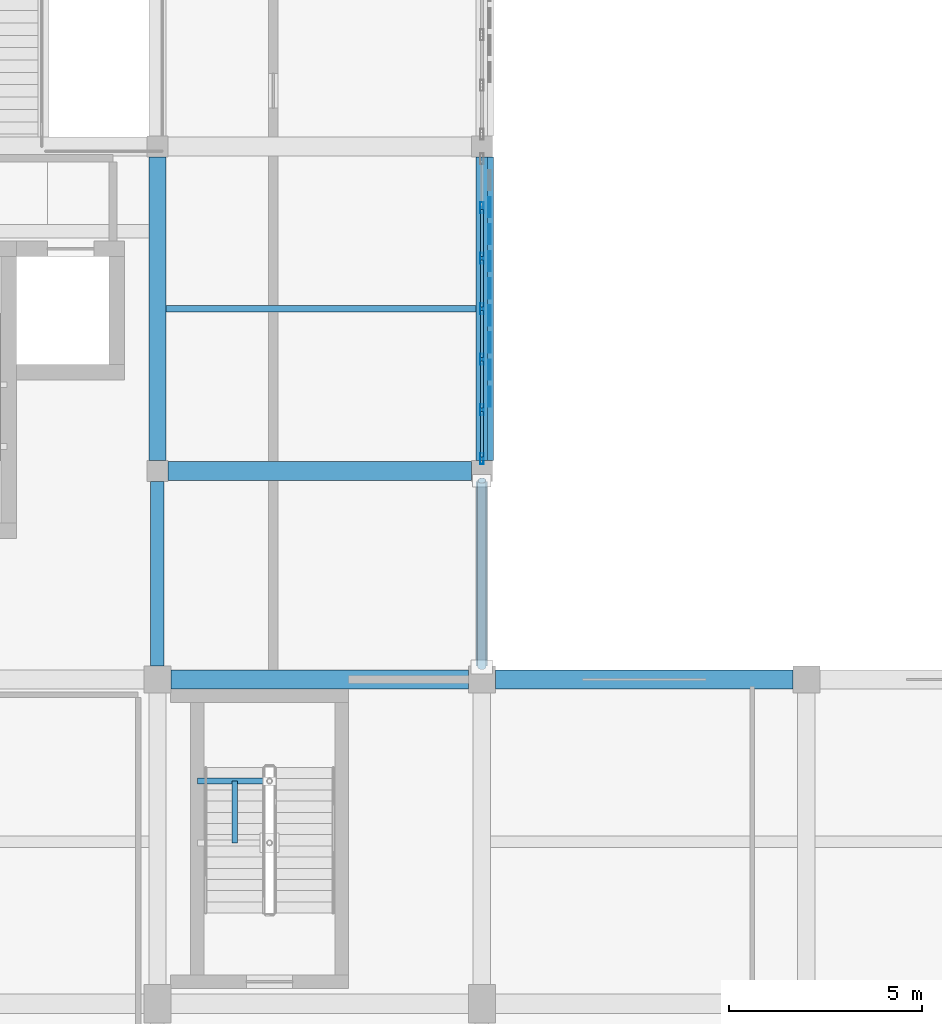
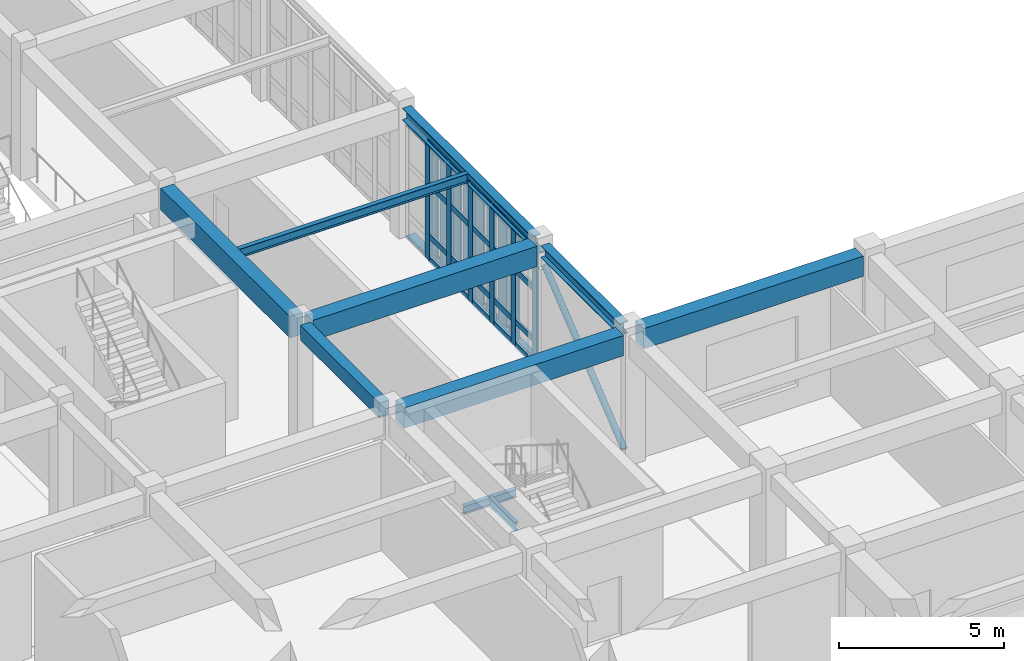
# One storey, part 20 of 106: 37 members, 10 beams, 1 element without a shape of its own.
"""IFC4 building model written with IfcOpenShell, lengths in metres."""

from ifc_helpers import new_model, si_unit, direction, frame, origin, origin_2d, place, context, subcontext, project, spatial, rectangle, hollow_rectangle, hollow_circle, i_section, extrude, material, layer, layer_set, material_profile, profile_set, type_object, element, aggregate, save


model = new_model("IFC4")

# Units and contexts
model_context = context("Model", 3, precision=1e-05, world=origin(), true_north=direction((0.0, 1.0)))
body_context = subcontext(model_context, "Body", "Model", "MODEL_VIEW")
ifc_project = project(units=[si_unit("LENGTHUNIT", "METRE"), si_unit("AREAUNIT", "SQUARE_METRE"), si_unit("VOLUMEUNIT", "CUBIC_METRE"), si_unit("PLANEANGLEUNIT", "RADIAN"), si_unit("MASSUNIT", "GRAM", prefix="KILO")], contexts=[model_context])

# Site, building, storey
site_placement = place(None, origin())
site = spatial("IfcSite", under=ifc_project, at=site_placement, CompositionType="ELEMENT")
building_placement = place(site_placement, origin())
building = spatial("IfcBuilding", under=site, at=building_placement, Name="Krzemoval Escarpment Law Courts", CompositionType="ELEMENT")
storey_placement = place(building_placement, frame((0.0, 0.0, 5.10009765625)))
storey = spatial("IfcBuildingStorey", under=building, at=storey_placement, Name="L01", CompositionType="ELEMENT", Elevation=5.10009765625)

# Beams
ifc_material_1 = material(Name="Concrete C40/50", Category="concrete")
ifc_material_profile_1 = material_profile(ifc_material_1, rectangle(XDim=0.35009765625, YDim=0.550048828125, at=origin_2d()), Name="RCB 350x550")
ifc_profile_set_1 = profile_set([ifc_material_profile_1], Name="Concrete C40/50")
beam_type_1 = type_object("IfcBeamType", Name="BM-RC-350x550", PredefinedType="BEAM", material=ifc_profile_set_1)
beam_1_placement = place(storey_placement, frame((33.60009765625, 35.75, 4.544921875), z_axis=(0.0, 1.0, 0.0), x_axis=(-1.0, 0.0, 0.0)))
element("IfcBeam", 1, at=beam_1_placement, inside=storey, type_object=beam_type_1, Name="Beam FG-L01-1424", PredefinedType="BEAM", context=body_context, shape_type="SweptSolid", body=[
    extrude(rectangle(XDim=0.35009765625, YDim=0.550048828125, at=origin_2d()), origin(), (0.0, 0.0, 1.0), 4.77490234375),
])
ifc_material_2 = material(Name="Concrete C40/50", Category="concrete")
ifc_material_profile_2 = material_profile(ifc_material_2, rectangle(XDim=0.449951171875, YDim=0.800048828125, at=origin_2d()), Name="RCB 450x800")
ifc_profile_set_2 = profile_set([ifc_material_profile_2], Name="Concrete C40/50")
beam_type_2 = type_object("IfcBeamType", Name="BM-RC-450x800", PredefinedType="BEAM", material=ifc_profile_set_2)
beam_2_placement = place(storey_placement, frame((33.60009765625, 41.074951171875, 4.419921875), z_axis=(0.0, 1.0, 0.0), x_axis=(-1.0, 0.0, 0.0)))
element("IfcBeam", 2, at=beam_2_placement, inside=storey, type_object=beam_type_2, Name="Beam FG-L01-1425", PredefinedType="BEAM", context=body_context, shape_type="SweptSolid", body=[
    extrude(rectangle(XDim=0.449951171875, YDim=0.800048828125, at=origin_2d()), origin(), (0.0, 0.0, 1.0), 7.85009765625),
])
ifc_material_3 = material(Name="Concrete C40/50", Category="concrete")
ifc_material_profile_3 = material_profile(ifc_material_3, rectangle(XDim=0.5, YDim=0.75, at=origin_2d()), Name="RCB 500x750")
ifc_profile_set_3 = profile_set([ifc_material_profile_3], Name="Concrete C40/50")
beam_type_3 = type_object("IfcBeamType", Name="BM-RC-500x750", PredefinedType="BEAM", material=ifc_profile_set_3)
for number, where, z_axis, x_axis, name in (
    (3, (33.949951171875, 35.39990234375, 4.44482421875), (1.0, 0.0, 0.0), (0.0, 1.0, 0.0), "Beam FG-L01-1219"),
    (4, (42.35009765625, 35.39990234375, 4.44482421875), (1.0, 0.0, 0.0), (0.0, 1.0, 0.0), "Beam FG-L01-1220"),
):
    element("IfcBeam", number, at=place(storey_placement, frame(where, z_axis=z_axis, x_axis=x_axis)), inside=storey, type_object=beam_type_3, Name=name, PredefinedType="BEAM", context=body_context, shape_type="SweptSolid", body=[
        extrude(rectangle(XDim=0.5, YDim=0.75, at=origin_2d()), origin(), (0.0, 0.0, 1.0), 7.699951171875),
    ])
beam_3_placement = place(storey_placement, frame((33.875, 40.800048828125, 4.44482421875), z_axis=(1.0, 0.0, 0.0), x_axis=(0.0, 1.0, 0.0)))
element("IfcBeam", 5, at=beam_3_placement, inside=storey, type_object=beam_type_3, Name="Beam FG-L01-1235", PredefinedType="BEAM", context=body_context, shape_type="SweptSolid", body=[
    extrude(rectangle(XDim=0.5, YDim=0.75, at=origin_2d()), origin(), (0.0, 0.0, 1.0), 7.85009765625),
])

# Curtain wall, members
ifc_material_4 = material(Name="Aluminium 6063-T6", Category="aluminium")
ifc_layer = layer(ifc_material_4, 0.280029296875)
ifc_layer_set = layer_set([ifc_layer], Name="Aluminium 6063-T6")
curtain_wall_type = type_object("IfcCurtainWallType", Name="CW-HALL-5100", PredefinedType="USERDEFINED", material=ifc_layer_set)
curtain_wall_placement = place(storey_placement, origin())
curtain_wall = element("IfcCurtainWall", 6, at=curtain_wall_placement, inside=storey, type_object=curtain_wall_type, Name="Unitised Curtain Wall FCW-L01-063", ObjectType="UNITISED_CURTAIN_WALL", PredefinedType="USERDEFINED")
ifc_material_5 = material(Name="Aluminium 6063-T6", Category="aluminium")
ifc_material_profile_4 = material_profile(ifc_material_5, hollow_rectangle(XDim=0.0849609375, YDim=0.280029296875, WallThickness=0.005615234375, at=origin_2d()), Name="ALU M85x280")
ifc_profile_set_4 = profile_set([ifc_material_profile_4], Name="Aluminium 6063-T6")
member_type_1 = type_object("IfcMemberType", Name="CWM-85x280", PredefinedType="MULLION", material=ifc_profile_set_4)
member_1_placement = place(storey_placement, frame((42.0, 47.61669921875, 0.0), z_axis=(0.0, 0.0, 1.0), x_axis=(1.0, 0.0, 0.0)))
member_1 = element("IfcMember", 7, at=member_1_placement, type_object=member_type_1, Name="FCW-L01-063 mullion 2", PredefinedType="MULLION", context=body_context, shape_type="SweptSolid", body=[
    extrude(hollow_rectangle(XDim=0.0849609375, YDim=0.280029296875, WallThickness=0.005615234375, at=origin_2d()), origin(), (0.0, 0.0, 1.0), 4.369873046875),
])
member_2_placement = place(storey_placement, frame((42.0, 46.308349609375, 0.0), z_axis=(0.0, 0.0, 1.0), x_axis=(1.0, 0.0, 0.0)))
member_2 = element("IfcMember", 8, at=member_2_placement, type_object=member_type_1, Name="FCW-L01-063 mullion 3", PredefinedType="MULLION", context=body_context, shape_type="SweptSolid", body=[
    extrude(hollow_rectangle(XDim=0.0849609375, YDim=0.280029296875, WallThickness=0.005615234375, at=origin_2d()), origin(), (0.0, 0.0, 1.0), 4.369873046875),
])
member_3_placement = place(storey_placement, frame((42.0, 45.0, 0.0), z_axis=(0.0, 0.0, 1.0), x_axis=(1.0, 0.0, 0.0)))
member_3 = element("IfcMember", 9, at=member_3_placement, type_object=member_type_1, Name="FCW-L01-063 mullion 4", PredefinedType="MULLION", context=body_context, shape_type="SweptSolid", body=[
    extrude(hollow_rectangle(XDim=0.0849609375, YDim=0.280029296875, WallThickness=0.005615234375, at=origin_2d()), origin(), (0.0, 0.0, 1.0), 4.369873046875),
])
member_4_placement = place(storey_placement, frame((42.0, 43.691650390625, 0.0), z_axis=(0.0, 0.0, 1.0), x_axis=(1.0, 0.0, 0.0)))
member_4 = element("IfcMember", 10, at=member_4_placement, type_object=member_type_1, Name="FCW-L01-063 mullion 5", PredefinedType="MULLION", context=body_context, shape_type="SweptSolid", body=[
    extrude(hollow_rectangle(XDim=0.0849609375, YDim=0.280029296875, WallThickness=0.005615234375, at=origin_2d()), origin(), (0.0, 0.0, 1.0), 4.369873046875),
])
member_5_placement = place(storey_placement, frame((42.0, 42.38330078125, 0.0), z_axis=(0.0, 0.0, 1.0), x_axis=(1.0, 0.0, 0.0)))
member_5 = element("IfcMember", 11, at=member_5_placement, type_object=member_type_1, Name="FCW-L01-063 mullion 6", PredefinedType="MULLION", context=body_context, shape_type="SweptSolid", body=[
    extrude(hollow_rectangle(XDim=0.0849609375, YDim=0.280029296875, WallThickness=0.005615234375, at=origin_2d()), origin(), (0.0, 0.0, 1.0), 4.369873046875),
])
member_6_placement = place(storey_placement, frame((42.0, 41.117431640625, 0.0), z_axis=(0.0, 0.0, 1.0), x_axis=(1.0, 0.0, 0.0)))
member_6 = element("IfcMember", 12, at=member_6_placement, type_object=member_type_1, Name="FCW-L01-063 mullion 7", PredefinedType="MULLION", context=body_context, shape_type="SweptSolid", body=[
    extrude(hollow_rectangle(XDim=0.0849609375, YDim=0.280029296875, WallThickness=0.005615234375, at=origin_2d()), origin(), (0.0, 0.0, 1.0), 4.369873046875),
])
ifc_material_6 = material(Name="Aluminium 6063-T6", Category="aluminium")
ifc_material_profile_5 = material_profile(ifc_material_6, hollow_rectangle(XDim=0.0849609375, YDim=0.2099609375, WallThickness=0.005615234375, at=origin_2d()), Name="ALU T85x210")
ifc_profile_set_5 = profile_set([ifc_material_profile_5], Name="Aluminium 6063-T6")
member_type_2 = type_object("IfcMemberType", Name="CWT-85x210", PredefinedType="USERDEFINED", material=ifc_profile_set_5)
member_7_placement = place(storey_placement, frame((42.0, 47.57421875, 0.04248046875), z_axis=(0.0, -1.0, 0.0), x_axis=(1.0, 0.0, 0.0)))
member_7 = element("IfcMember", 13, at=member_7_placement, type_object=member_type_2, Name="FCW-L01-063 transom 2.1", ObjectType="TRANSOM", PredefinedType="USERDEFINED", context=body_context, shape_type="SweptSolid", body=[
    extrude(hollow_rectangle(XDim=0.0849609375, YDim=0.2099609375, WallThickness=0.005615234375, at=origin_2d()), origin(), (0.0, 0.0, 1.0), 1.223388671875),
])
member_8_placement = place(storey_placement, frame((42.0, 47.57421875, 0.89990234375), z_axis=(0.0, -1.0, 0.0), x_axis=(1.0, 0.0, 0.0)))
member_8 = element("IfcMember", 14, at=member_8_placement, type_object=member_type_2, Name="FCW-L01-063 transom 2.2", ObjectType="TRANSOM", PredefinedType="USERDEFINED", context=body_context, shape_type="SweptSolid", body=[
    extrude(hollow_rectangle(XDim=0.0849609375, YDim=0.2099609375, WallThickness=0.005615234375, at=origin_2d()), origin(), (0.0, 0.0, 1.0), 1.223388671875),
])
member_9_placement = place(storey_placement, frame((42.0, 47.57421875, 2.7998046875), z_axis=(0.0, -1.0, 0.0), x_axis=(1.0, 0.0, 0.0)))
member_9 = element("IfcMember", 15, at=member_9_placement, type_object=member_type_2, Name="FCW-L01-063 transom 2.3", ObjectType="TRANSOM", PredefinedType="USERDEFINED", context=body_context, shape_type="SweptSolid", body=[
    extrude(hollow_rectangle(XDim=0.0849609375, YDim=0.2099609375, WallThickness=0.005615234375, at=origin_2d()), origin(), (0.0, 0.0, 1.0), 1.223388671875),
])
member_10_placement = place(storey_placement, frame((42.0, 47.57421875, 4.327392578125), z_axis=(0.0, -1.0, 0.0), x_axis=(1.0, 0.0, 0.0)))
member_10 = element("IfcMember", 16, at=member_10_placement, type_object=member_type_2, Name="FCW-L01-063 transom 2.4", ObjectType="TRANSOM", PredefinedType="USERDEFINED", context=body_context, shape_type="SweptSolid", body=[
    extrude(hollow_rectangle(XDim=0.0849609375, YDim=0.2099609375, WallThickness=0.005615234375, at=origin_2d()), origin(), (0.0, 0.0, 1.0), 1.223388671875),
])
member_11_placement = place(storey_placement, frame((42.0, 46.265869140625, 0.04248046875), z_axis=(0.0, -1.0, 0.0), x_axis=(1.0, 0.0, 0.0)))
member_11 = element("IfcMember", 17, at=member_11_placement, type_object=member_type_2, Name="FCW-L01-063 transom 3.1", ObjectType="TRANSOM", PredefinedType="USERDEFINED", context=body_context, shape_type="SweptSolid", body=[
    extrude(hollow_rectangle(XDim=0.0849609375, YDim=0.2099609375, WallThickness=0.005615234375, at=origin_2d()), origin(), (0.0, 0.0, 1.0), 1.223388671875),
])
member_12_placement = place(storey_placement, frame((42.0, 46.265869140625, 0.89990234375), z_axis=(0.0, -1.0, 0.0), x_axis=(1.0, 0.0, 0.0)))
member_12 = element("IfcMember", 18, at=member_12_placement, type_object=member_type_2, Name="FCW-L01-063 transom 3.2", ObjectType="TRANSOM", PredefinedType="USERDEFINED", context=body_context, shape_type="SweptSolid", body=[
    extrude(hollow_rectangle(XDim=0.0849609375, YDim=0.2099609375, WallThickness=0.005615234375, at=origin_2d()), origin(), (0.0, 0.0, 1.0), 1.223388671875),
])
member_13_placement = place(storey_placement, frame((42.0, 46.265869140625, 2.7998046875), z_axis=(0.0, -1.0, 0.0), x_axis=(1.0, 0.0, 0.0)))
member_13 = element("IfcMember", 19, at=member_13_placement, type_object=member_type_2, Name="FCW-L01-063 transom 3.3", ObjectType="TRANSOM", PredefinedType="USERDEFINED", context=body_context, shape_type="SweptSolid", body=[
    extrude(hollow_rectangle(XDim=0.0849609375, YDim=0.2099609375, WallThickness=0.005615234375, at=origin_2d()), origin(), (0.0, 0.0, 1.0), 1.223388671875),
])
member_14_placement = place(storey_placement, frame((42.0, 46.265869140625, 4.327392578125), z_axis=(0.0, -1.0, 0.0), x_axis=(1.0, 0.0, 0.0)))
member_14 = element("IfcMember", 20, at=member_14_placement, type_object=member_type_2, Name="FCW-L01-063 transom 3.4", ObjectType="TRANSOM", PredefinedType="USERDEFINED", context=body_context, shape_type="SweptSolid", body=[
    extrude(hollow_rectangle(XDim=0.0849609375, YDim=0.2099609375, WallThickness=0.005615234375, at=origin_2d()), origin(), (0.0, 0.0, 1.0), 1.223388671875),
])
member_15_placement = place(storey_placement, frame((42.0, 44.95751953125, 0.04248046875), z_axis=(0.0, -1.0, 0.0), x_axis=(1.0, 0.0, 0.0)))
member_15 = element("IfcMember", 21, at=member_15_placement, type_object=member_type_2, Name="FCW-L01-063 transom 4.1", ObjectType="TRANSOM", PredefinedType="USERDEFINED", context=body_context, shape_type="SweptSolid", body=[
    extrude(hollow_rectangle(XDim=0.0849609375, YDim=0.2099609375, WallThickness=0.005615234375, at=origin_2d()), origin(), (0.0, 0.0, 1.0), 1.223388671875),
])
member_16_placement = place(storey_placement, frame((42.0, 44.95751953125, 0.89990234375), z_axis=(0.0, -1.0, 0.0), x_axis=(1.0, 0.0, 0.0)))
member_16 = element("IfcMember", 22, at=member_16_placement, type_object=member_type_2, Name="FCW-L01-063 transom 4.2", ObjectType="TRANSOM", PredefinedType="USERDEFINED", context=body_context, shape_type="SweptSolid", body=[
    extrude(hollow_rectangle(XDim=0.0849609375, YDim=0.2099609375, WallThickness=0.005615234375, at=origin_2d()), origin(), (0.0, 0.0, 1.0), 1.223388671875),
])
member_17_placement = place(storey_placement, frame((42.0, 44.95751953125, 2.7998046875), z_axis=(0.0, -1.0, 0.0), x_axis=(1.0, 0.0, 0.0)))
member_17 = element("IfcMember", 23, at=member_17_placement, type_object=member_type_2, Name="FCW-L01-063 transom 4.3", ObjectType="TRANSOM", PredefinedType="USERDEFINED", context=body_context, shape_type="SweptSolid", body=[
    extrude(hollow_rectangle(XDim=0.0849609375, YDim=0.2099609375, WallThickness=0.005615234375, at=origin_2d()), origin(), (0.0, 0.0, 1.0), 1.223388671875),
])
member_18_placement = place(storey_placement, frame((42.0, 44.95751953125, 4.327392578125), z_axis=(0.0, -1.0, 0.0), x_axis=(1.0, 0.0, 0.0)))
member_18 = element("IfcMember", 24, at=member_18_placement, type_object=member_type_2, Name="FCW-L01-063 transom 4.4", ObjectType="TRANSOM", PredefinedType="USERDEFINED", context=body_context, shape_type="SweptSolid", body=[
    extrude(hollow_rectangle(XDim=0.0849609375, YDim=0.2099609375, WallThickness=0.005615234375, at=origin_2d()), origin(), (0.0, 0.0, 1.0), 1.223388671875),
])
member_19_placement = place(storey_placement, frame((42.0, 43.649169921875, 0.04248046875), z_axis=(0.0, -1.0, 0.0), x_axis=(1.0, 0.0, 0.0)))
member_19 = element("IfcMember", 25, at=member_19_placement, type_object=member_type_2, Name="FCW-L01-063 transom 5.1", ObjectType="TRANSOM", PredefinedType="USERDEFINED", context=body_context, shape_type="SweptSolid", body=[
    extrude(hollow_rectangle(XDim=0.0849609375, YDim=0.2099609375, WallThickness=0.005615234375, at=origin_2d()), origin(), (0.0, 0.0, 1.0), 1.223388671875),
])
member_20_placement = place(storey_placement, frame((42.0, 43.649169921875, 0.89990234375), z_axis=(0.0, -1.0, 0.0), x_axis=(1.0, 0.0, 0.0)))
member_20 = element("IfcMember", 26, at=member_20_placement, type_object=member_type_2, Name="FCW-L01-063 transom 5.2", ObjectType="TRANSOM", PredefinedType="USERDEFINED", context=body_context, shape_type="SweptSolid", body=[
    extrude(hollow_rectangle(XDim=0.0849609375, YDim=0.2099609375, WallThickness=0.005615234375, at=origin_2d()), origin(), (0.0, 0.0, 1.0), 1.223388671875),
])
member_21_placement = place(storey_placement, frame((42.0, 43.649169921875, 2.7998046875), z_axis=(0.0, -1.0, 0.0), x_axis=(1.0, 0.0, 0.0)))
member_21 = element("IfcMember", 27, at=member_21_placement, type_object=member_type_2, Name="FCW-L01-063 transom 5.3", ObjectType="TRANSOM", PredefinedType="USERDEFINED", context=body_context, shape_type="SweptSolid", body=[
    extrude(hollow_rectangle(XDim=0.0849609375, YDim=0.2099609375, WallThickness=0.005615234375, at=origin_2d()), origin(), (0.0, 0.0, 1.0), 1.223388671875),
])
member_22_placement = place(storey_placement, frame((42.0, 43.649169921875, 4.327392578125), z_axis=(0.0, -1.0, 0.0), x_axis=(1.0, 0.0, 0.0)))
member_22 = element("IfcMember", 28, at=member_22_placement, type_object=member_type_2, Name="FCW-L01-063 transom 5.4", ObjectType="TRANSOM", PredefinedType="USERDEFINED", context=body_context, shape_type="SweptSolid", body=[
    extrude(hollow_rectangle(XDim=0.0849609375, YDim=0.2099609375, WallThickness=0.005615234375, at=origin_2d()), origin(), (0.0, 0.0, 1.0), 1.223388671875),
])
member_23_placement = place(storey_placement, frame((42.0, 42.3408203125, 0.04248046875), z_axis=(0.0, -1.0, 0.0), x_axis=(1.0, 0.0, 0.0)))
member_23 = element("IfcMember", 29, at=member_23_placement, type_object=member_type_2, Name="FCW-L01-063 transom 6.1", ObjectType="TRANSOM", PredefinedType="USERDEFINED", context=body_context, shape_type="SweptSolid", body=[
    extrude(hollow_rectangle(XDim=0.0849609375, YDim=0.2099609375, WallThickness=0.005615234375, at=origin_2d()), origin(), (0.0, 0.0, 1.0), 1.180908203125),
])
member_24_placement = place(storey_placement, frame((42.0, 42.3408203125, 0.89990234375), z_axis=(0.0, -1.0, 0.0), x_axis=(1.0, 0.0, 0.0)))
member_24 = element("IfcMember", 30, at=member_24_placement, type_object=member_type_2, Name="FCW-L01-063 transom 6.2", ObjectType="TRANSOM", PredefinedType="USERDEFINED", context=body_context, shape_type="SweptSolid", body=[
    extrude(hollow_rectangle(XDim=0.0849609375, YDim=0.2099609375, WallThickness=0.005615234375, at=origin_2d()), origin(), (0.0, 0.0, 1.0), 1.180908203125),
])
member_25_placement = place(storey_placement, frame((42.0, 42.3408203125, 2.7998046875), z_axis=(0.0, -1.0, 0.0), x_axis=(1.0, 0.0, 0.0)))
member_25 = element("IfcMember", 31, at=member_25_placement, type_object=member_type_2, Name="FCW-L01-063 transom 6.3", ObjectType="TRANSOM", PredefinedType="USERDEFINED", context=body_context, shape_type="SweptSolid", body=[
    extrude(hollow_rectangle(XDim=0.0849609375, YDim=0.2099609375, WallThickness=0.005615234375, at=origin_2d()), origin(), (0.0, 0.0, 1.0), 1.180908203125),
])
member_26_placement = place(storey_placement, frame((42.0, 42.3408203125, 4.327392578125), z_axis=(0.0, -1.0, 0.0), x_axis=(1.0, 0.0, 0.0)))
member_26 = element("IfcMember", 32, at=member_26_placement, type_object=member_type_2, Name="FCW-L01-063 transom 6.4", ObjectType="TRANSOM", PredefinedType="USERDEFINED", context=body_context, shape_type="SweptSolid", body=[
    extrude(hollow_rectangle(XDim=0.0849609375, YDim=0.2099609375, WallThickness=0.005615234375, at=origin_2d()), origin(), (0.0, 0.0, 1.0), 1.180908203125),
])
aggregate(curtain_wall, [member_1, member_2, member_3, member_4, member_5, member_6, member_7, member_8, member_9, member_10, member_11, member_12, member_13, member_14, member_15, member_16, member_17, member_18, member_19, member_20, member_21, member_22, member_23, member_24, member_25, member_26])

# Beams
ifc_material_7 = material(Name="Steel S355", Category="steel")
ifc_material_profile_6 = material_profile(ifc_material_7, i_section(OverallWidth=0.14990234375, OverallDepth=0.300048828125, WebThickness=0.007080078125, FlangeThickness=0.0107421875, at=origin_2d()), Name="IPE 300")
ifc_profile_set_6 = profile_set([ifc_material_profile_6], Name="Steel S355")
beam_type_4 = type_object("IfcBeamType", Name="JST-S355-IPE300", PredefinedType="JOIST", material=ifc_profile_set_6)
beam_4_placement = place(storey_placement, frame((36.5, 32.77001953125, 2.27001953125), z_axis=(-1.0, 0.0, 0.0), x_axis=(0.0, -1.0, 0.0)))
element("IfcBeam", 33, at=beam_4_placement, inside=storey, type_object=beam_type_4, Name="Stair Well Crosshead SLHW-C7-L01-1", PredefinedType="JOIST", context=body_context, shape_type="SweptSolid", body=[
    extrude(i_section(OverallWidth=0.14990234375, OverallDepth=0.300048828125, WebThickness=0.007080078125, FlangeThickness=0.0107421875, at=origin_2d()), origin(), (0.0, 0.0, 1.0), 1.860107421875),
])
beam_5_placement = place(storey_placement, frame((35.60009765625, 32.77001953125, 2.27001953125), z_axis=(0.0, -1.0, 0.0), x_axis=(1.0, 0.0, 0.0)))
element("IfcBeam", 34, at=beam_5_placement, inside=storey, type_object=beam_type_4, Name="Stair Flight Support Stringer SLTW-C7-L01", PredefinedType="JOIST", context=body_context, shape_type="SweptSolid", body=[
    extrude(i_section(OverallWidth=0.14990234375, OverallDepth=0.300048828125, WebThickness=0.007080078125, FlangeThickness=0.0107421875, at=origin_2d()), origin(), (0.0, 0.0, 1.0), 1.60009765625),
])
ifc_material_8 = material(Name="Steel S355", Category="steel")
ifc_material_profile_7 = material_profile(ifc_material_8, i_section(OverallWidth=0.159912109375, OverallDepth=0.330078125, WebThickness=0.007568359375, FlangeThickness=0.011474609375, at=origin_2d()), Name="IPE 330")
ifc_profile_set_7 = profile_set([ifc_material_profile_7], Name="Steel S355")
beam_type_5 = type_object("IfcBeamType", Name="JST-S355-IPE330", PredefinedType="JOIST", material=ifc_profile_set_7)
beam_6_placement = place(storey_placement, frame((33.824951171875, 45.0, 4.65478515625), z_axis=(1.0, 0.0, 0.0), x_axis=(0.0, 1.0, 0.0)))
element("IfcBeam", 35, at=beam_6_placement, inside=storey, type_object=beam_type_5, Name="Secondary Joist FJ-L01-1625", PredefinedType="JOIST", context=body_context, shape_type="SweptSolid", body=[
    extrude(i_section(OverallWidth=0.159912109375, OverallDepth=0.330078125, WebThickness=0.007568359375, FlangeThickness=0.011474609375, at=origin_2d()), origin(), (0.0, 0.0, 1.0), 8.025146484375),
])

# Members
ifc_material_9 = material(Name="Anodised Aluminium Alloy 6063-T6", Category="aluminium")
ifc_material_profile_8 = material_profile(ifc_material_9, hollow_rectangle(XDim=0.06005859375, YDim=0.320068359375, WallThickness=0.00390625, at=origin_2d()), Name="ALU LVR 60x320")
ifc_profile_set_8 = profile_set([ifc_material_profile_8], Name="Anodised Aluminium Alloy 6063-T6")
member_type_3 = type_object("IfcMemberType", Name="LVR-ALU-320", PredefinedType="USERDEFINED", material=ifc_profile_set_8)
for number, where, z_axis, x_axis, name in (
    (36, (42.139892578125, 48.925048828125, 0.02978515625), (0.0, -1.0, 0.0), (0.0, 0.0, 1.0), "Sunshade Support Rail FSR-L01-0356"),
    (37, (42.139892578125, 48.925048828125, 4.119873046875), (0.0, -1.0, 0.0), (0.0, 0.0, 1.0), "Sunshade Support Rail FSR-L01-0357"),
):
    element("IfcMember", number, at=place(storey_placement, frame(where, z_axis=z_axis, x_axis=x_axis)), inside=storey, type_object=member_type_3, Name=name, ObjectType="SUNSHADE_LOUVRE", PredefinedType="USERDEFINED", context=body_context, shape_type="SweptSolid", body=[
        extrude(hollow_rectangle(XDim=0.06005859375, YDim=0.320068359375, WallThickness=0.00390625, at=origin_2d()), origin(), (0.0, 0.0, 1.0), 7.85009765625),
    ])
ifc_material_10 = material(Name="Anodised Aluminium Alloy 6063-T6", Category="aluminium")
ifc_material_profile_9 = material_profile(ifc_material_10, hollow_rectangle(XDim=0.06494140625, YDim=0.52001953125, WallThickness=0.00439453125, at=origin_2d()), Name="ALU LVR 65x520")
ifc_profile_set_9 = profile_set([ifc_material_profile_9], Name="Anodised Aluminium Alloy 6063-T6")
member_type_4 = type_object("IfcMemberType", Name="LVR-ALU-520", PredefinedType="USERDEFINED", material=ifc_profile_set_9)
for number, where, z_axis, x_axis, name in (
    (38, (42.199951171875, 47.625, 0.059814453125), (0.0, 0.0, 1.0), (1.0, 0.0, 0.0), "Sunshade Louvre Fin FLV-L01-0359"),
    (39, (42.199951171875, 46.925048828125, 0.059814453125), (0.0, 0.0, 1.0), (1.0, 0.0, 0.0), "Sunshade Louvre Fin FLV-L01-0360"),
    (40, (42.199951171875, 46.22509765625, 0.059814453125), (0.0, 0.0, 1.0), (1.0, 0.0, 0.0), "Sunshade Louvre Fin FLV-L01-0361"),
    (41, (42.199951171875, 45.52490234375, 0.059814453125), (0.0, 0.0, 1.0), (1.0, 0.0, 0.0), "Sunshade Louvre Fin FLV-L01-0362"),
    (42, (42.199951171875, 44.824951171875, 0.059814453125), (0.0, 0.0, 1.0), (1.0, 0.0, 0.0), "Sunshade Louvre Fin FLV-L01-0363"),
    (43, (42.199951171875, 44.125, 0.059814453125), (0.0, 0.0, 1.0), (1.0, 0.0, 0.0), "Sunshade Louvre Fin FLV-L01-0364"),
    (44, (42.199951171875, 43.425048828125, 0.059814453125), (0.0, 0.0, 1.0), (1.0, 0.0, 0.0), "Sunshade Louvre Fin FLV-L01-0365"),
    (45, (42.199951171875, 42.72509765625, 0.059814453125), (0.0, 0.0, 1.0), (1.0, 0.0, 0.0), "Sunshade Louvre Fin FLV-L01-0366"),
):
    element("IfcMember", number, at=place(storey_placement, frame(where, z_axis=z_axis, x_axis=x_axis)), inside=storey, type_object=member_type_4, Name=name, ObjectType="SUNSHADE_LOUVRE", PredefinedType="USERDEFINED", context=body_context, shape_type="SweptSolid", body=[
        extrude(hollow_rectangle(XDim=0.06494140625, YDim=0.52001953125, WallThickness=0.00439453125, at=origin_2d()), origin(), (0.0, 0.0, 1.0), 4.31005859375),
    ])
ifc_material_11 = material(Name="Steel S355", Category="steel")
ifc_material_profile_10 = material_profile(ifc_material_11, hollow_circle(Radius=0.109619140625, WallThickness=0.010009765625, at=origin_2d()), Name="CHS 219.1x10")
ifc_profile_set_10 = profile_set([ifc_material_profile_10], Name="Steel S355")
member_type_5 = type_object("IfcMemberType", Name="MBR-BRC-CHS219", PredefinedType="BRACE", material=ifc_profile_set_10)
member_27_placement = place(storey_placement, frame((42.0, 35.72509765625, 0.139892578125), z_axis=(0.0, 0.777718440613, 0.628612779961), x_axis=(-1.0, 0.0, 0.0)))
element("IfcMember", 46, at=member_27_placement, inside=storey, type_object=member_type_5, Name="Lateral Diagonal Brace BR-0243", PredefinedType="BRACE", context=body_context, shape_type="SweptSolid", body=[
    extrude(hollow_circle(Radius=0.109619140625, WallThickness=0.010009765625, at=origin_2d()), origin(), (0.0, 0.0, 1.0), 6.2041015625),
])

# Beams
ifc_material_12 = material(Name="Steel S355", Category="steel")
ifc_material_profile_11 = material_profile(ifc_material_12, i_section(OverallWidth=0.300048828125, OverallDepth=0.449951171875, WebThickness=0.013916015625, FlangeThickness=0.02587890625, at=origin_2d()), Name="HEB 450")
ifc_profile_set_11 = profile_set([ifc_material_profile_11], Name="Steel S355")
beam_type_6 = type_object("IfcBeamType", Name="SPN-S355-HEB450", PredefinedType="SPANDREL", material=ifc_profile_set_11)
beam_7_placement = place(storey_placement, frame((42.0, 35.75, 4.594970703125), z_axis=(0.0, 1.0, 0.0), x_axis=(-1.0, 0.0, 0.0)))
element("IfcBeam", 47, at=beam_7_placement, inside=storey, type_object=beam_type_6, Name="Beam FG-L01-1440", PredefinedType="SPANDREL", context=body_context, shape_type="SweptSolid", body=[
    extrude(i_section(OverallWidth=0.300048828125, OverallDepth=0.449951171875, WebThickness=0.013916015625, FlangeThickness=0.02587890625, at=origin_2d()), origin(), (0.0, 0.0, 1.0), 4.77490234375),
])
beam_8_placement = place(storey_placement, frame((42.0, 41.074951171875, 4.594970703125), z_axis=(0.0, 1.0, 0.0), x_axis=(-1.0, 0.0, 0.0)))
element("IfcBeam", 48, at=beam_8_placement, inside=storey, type_object=beam_type_6, Name="Beam FG-L01-1441", PredefinedType="SPANDREL", context=body_context, shape_type="SweptSolid", body=[
    extrude(i_section(OverallWidth=0.300048828125, OverallDepth=0.449951171875, WebThickness=0.013916015625, FlangeThickness=0.02587890625, at=origin_2d()), origin(), (0.0, 0.0, 1.0), 7.85009765625),
])

save(model, "model.ifc")
